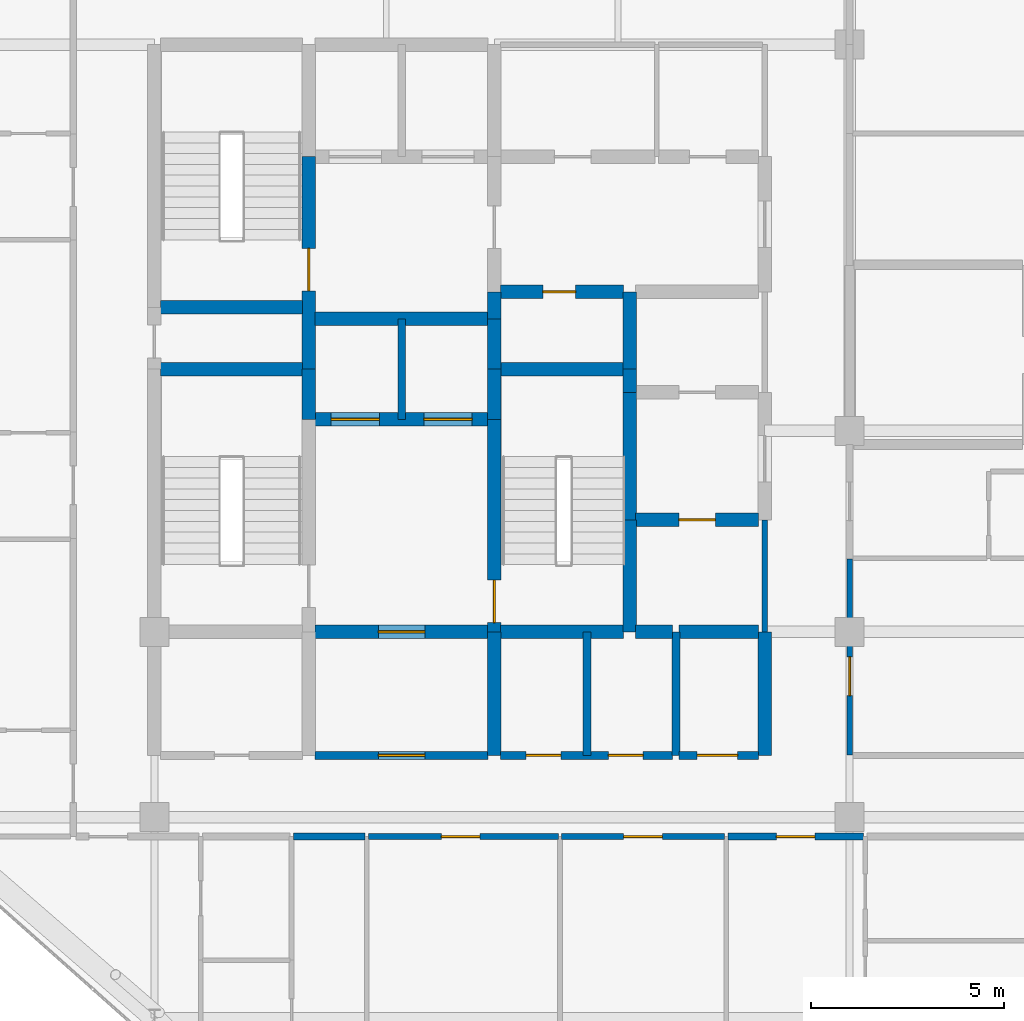
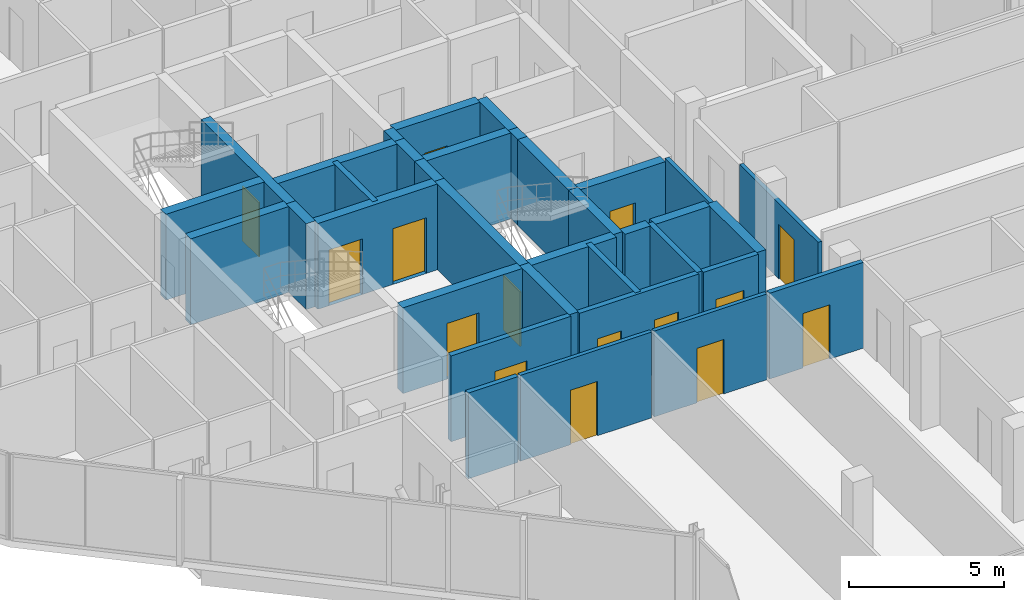
# One storey, part 24 of 29: 35 walls, 15 doors, 15 openings.
"""IFC4 building model written with IfcOpenShell, lengths in metres."""

import ifcopenshell
import ifcopenshell.guid

model = None  # the IFC model being written
_history = None  # IfcOwnerHistory: only IFC2X3 demands one
_inside = {}  # id of a spatial element -> (the spatial element, [elements in it])
_under = {}  # id of a project, library or spatial element -> (it, [spatial elements below it])
_declared = {}  # id of a project -> (the project, [libraries it declares])
_typed = {}  # id of a type object -> (the type object, [elements of that type])
_made_of = {}  # id of a material, layer set ... -> (it, [elements and type objects made of it])


def new_model(schema):
    """Start an empty IFC model of exactly this schema.

    Asked for "IFC4X3", IfcOpenShell would pick the latest addendum, in which some entities
    have other attributes; the version numbers below select the first issue.
    IFC2X3 requires an IfcOwnerHistory on every rooted entity: one is made here for all.
    """
    global model, _history
    if schema == "IFC4X3":
        model = ifcopenshell.file(schema_version=(4, 3, 0, 0))
    else:
        model = ifcopenshell.file(schema=schema)
    _inside.clear()
    _under.clear()
    _declared.clear()
    _typed.clear()
    _made_of.clear()
    _history = None
    if model.schema == "IFC2X3":
        org = make("IfcOrganization", Name="unknown")
        user = make(
            "IfcPersonAndOrganization",
            ThePerson=make("IfcPerson", FamilyName="unknown"),
            TheOrganization=org,
        )
        app = make(
            "IfcApplication",
            ApplicationDeveloper=org,
            Version="unknown",
            ApplicationFullName="unknown",
            ApplicationIdentifier="unknown",
        )
        _history = make(
            "IfcOwnerHistory",
            OwningUser=user,
            OwningApplication=app,
            ChangeAction="ADDED",
            CreationDate=0,
        )
    return model


def make(cls, **values):
    """One entity of the class cls with the attributes given. An attribute that is None is left unset."""
    return model.create_entity(
        cls, **{name: value for name, value in values.items() if value is not None}
    )


def rooted(cls, **values):
    """An entity with a GlobalId (a new one), such as an element, a storey or a relation."""
    return make(cls, GlobalId=ifcopenshell.guid.new(), OwnerHistory=_history, **values)


def si_unit(unit_type, name, prefix=None):
    """IfcSIUnit, for example si_unit("LENGTHUNIT", "METRE", prefix="MILLI")."""
    return make("IfcSIUnit", UnitType=unit_type, Prefix=prefix, Name=name)


def assignment(units):
    """IfcUnitAssignment: the units of a project."""
    return None if units is None else make("IfcUnitAssignment", Units=units)


def point(xyz):
    """IfcCartesianPoint."""
    return None if xyz is None else make("IfcCartesianPoint", Coordinates=xyz)


def direction(xyz):
    """IfcDirection."""
    return None if xyz is None else make("IfcDirection", DirectionRatios=xyz)


def frame(location, z_axis=None, x_axis=None):
    """IfcAxis2Placement3D, a coordinate frame: its origin and axes. An axis left out is left unset."""
    return make(
        "IfcAxis2Placement3D",
        Location=point(location),
        Axis=direction(z_axis),
        RefDirection=direction(x_axis),
    )


def frame_2d(location, x_axis=None):
    """IfcAxis2Placement2D, a coordinate frame in the plane: its origin and x axis."""
    return make(
        "IfcAxis2Placement2D", Location=point(location), RefDirection=direction(x_axis)
    )


def origin():
    """The frame at (0, 0, 0) with its axes left unset."""
    return frame((0.0, 0.0, 0.0))


def place(relative_to, where):
    """IfcLocalPlacement: puts the frame where relative to a parent placement (None: the world)."""
    return make(
        "IfcLocalPlacement", PlacementRelTo=relative_to, RelativePlacement=where
    )


def context(
    kind, dimensions, precision=None, world=None, true_north=None, identifier=None
):
    """IfcGeometricRepresentationContext, for example the 3D "Model" context."""
    return make(
        "IfcGeometricRepresentationContext",
        ContextIdentifier=identifier,
        ContextType=kind,
        CoordinateSpaceDimension=dimensions,
        Precision=precision,
        WorldCoordinateSystem=world,
        TrueNorth=true_north,
    )


def subcontext(parent, identifier, kind, view, scale=None):
    """IfcGeometricRepresentationSubContext, for example "Body" below "Model"."""
    return make(
        "IfcGeometricRepresentationSubContext",
        ContextIdentifier=identifier,
        ContextType=kind,
        ParentContext=parent,
        TargetScale=scale,
        TargetView=view,
    )


def project(units=None, contexts=None):
    """IfcProject with its units and contexts."""
    return rooted(
        "IfcProject",
        Name="project",
        RepresentationContexts=contexts,
        UnitsInContext=assignment(units),
    )


def spatial(cls, under=None, at=None, **own):
    """A site, building, storey or space (cls), placed at a placement, below another one or the project."""
    s = rooted(cls, ObjectPlacement=at, **own)
    if under is not None:
        _under.setdefault(under.id(), (under, []))[1].append(s)
    return s


def profile(cls, at=None, kind="AREA", **sizes):
    """A parametric profile (cls). Its sizes go by their IFC names, for example OverallWidth=200.0."""
    return make(cls, ProfileType=kind, Position=at, **sizes)


def rectangle(**sizes):
    """IfcRectangleProfileDef."""
    return profile("IfcRectangleProfileDef", **sizes)


def extrude(swept, where, along, depth):
    """IfcExtrudedAreaSolid: the profile swept, set in the frame where, extruded along a direction by depth."""
    return make(
        "IfcExtrudedAreaSolid",
        SweptArea=swept,
        Position=where,
        ExtrudedDirection=direction(along),
        Depth=depth,
    )


def shape(context_of_items, identifier, shape_type, items):
    """IfcShapeRepresentation: the items that make up one representation, for example the "Body"."""
    return make(
        "IfcShapeRepresentation",
        ContextOfItems=context_of_items,
        RepresentationIdentifier=identifier,
        RepresentationType=shape_type,
        Items=items,
    )


def material(Name=None, Category=None):
    """IfcMaterial."""
    return make("IfcMaterial", Name=Name, Category=Category)


def layer(
    of_material, thickness, ventilated=None, Name=None, Category=None, Priority=None
):
    """IfcMaterialLayer: one layer of a wall or slab, of a material (None: an air gap)."""
    return make(
        "IfcMaterialLayer",
        Material=of_material,
        LayerThickness=thickness,
        IsVentilated=ventilated,
        Name=Name,
        Category=Category,
        Priority=Priority,
    )


def layer_set(layers, Name=None):
    """IfcMaterialLayerSet."""
    return make("IfcMaterialLayerSet", MaterialLayers=layers, LayerSetName=Name)


def made_of(thing, what):
    """Note that an element or type object is made of a material, layer set ...; save() writes the relation."""
    if what is not None:
        _made_of.setdefault(what.id(), (what, []))[1].append(thing)
    return thing


def type_object(cls, material=None, **own):
    """A type object (cls), such as IfcWallType, which elements share."""
    return made_of(rooted(cls, **own), material)


def element(
    cls,
    number,
    at=None,
    inside=None,
    cuts=None,
    type_object=None,
    material=None,
    context=None,
    identifier="Body",
    shape_type=None,
    held_by="IfcProductDefinitionShape",
    body=None,
    shapes=None,
    **own,
):
    """One element of the class cls, such as IfcWall. Its Tag is "e" and its number.

    at: its placement. inside: the storey or other place that contains it. cuts: it is an
    opening in that element (IfcRelVoidsElement). A single representation is given by context,
    identifier, shape_type and body (its items); several are given by shapes. held_by: the class
    of the entity that holds the representations. save() writes the other relations.
    """
    e = rooted(cls, Tag="e%d" % number, ObjectPlacement=at, **own)
    if body is not None:
        shapes = [shape(context, identifier, shape_type, body)]
    if shapes is not None:
        e.Representation = make(held_by, Representations=shapes)
    if inside is not None:
        _inside.setdefault(inside.id(), (inside, []))[1].append(e)
    if cuts is not None:
        rooted(
            "IfcRelVoidsElement", RelatingBuildingElement=cuts, RelatedOpeningElement=e
        )
    if type_object is not None:
        _typed.setdefault(type_object.id(), (type_object, []))[1].append(e)
    return made_of(e, material)


def fill(opening, filler):
    """IfcRelFillsElement: the door or window that sits in an opening."""
    return rooted(
        "IfcRelFillsElement",
        RelatingOpeningElement=opening,
        RelatedBuildingElement=filler,
    )


def aggregate(whole, parts):
    """IfcRelAggregates: a whole, such as a stair, and the parts it consists of."""
    return rooted("IfcRelAggregates", RelatingObject=whole, RelatedObjects=parts)


def save(model, path):
    """Write the relations noted so far, then the file.

    IfcRelAggregates (storeys below a building ...), IfcRelContainedInSpatialStructure (elements
    in a storey), IfcRelDefinesByType, IfcRelAssociatesMaterial and IfcRelDeclares: one each for
    every whole, place, type object, material and project.
    """
    for whole, parts in _under.values():
        aggregate(whole, parts)
    for where, things in _inside.values():
        rooted(
            "IfcRelContainedInSpatialStructure",
            RelatedElements=things,
            RelatingStructure=where,
        )
    for kind, things in _typed.values():
        rooted("IfcRelDefinesByType", RelatedObjects=things, RelatingType=kind)
    for what, things in _made_of.values():
        rooted("IfcRelAssociatesMaterial", RelatedObjects=things, RelatingMaterial=what)
    for by, libraries in _declared.values():
        rooted("IfcRelDeclares", RelatingContext=by, RelatedDefinitions=libraries)
    model.write(path)


model = new_model("IFC4")

# Units and contexts
model_context = context("Model", 3, precision=1e-05, world=origin(), true_north=direction((0.0, 1.0)))
body_context = subcontext(model_context, "Body", "Model", "MODEL_VIEW")
ifc_project = project(units=[si_unit("LENGTHUNIT", "METRE"), si_unit("AREAUNIT", "SQUARE_METRE"), si_unit("VOLUMEUNIT", "CUBIC_METRE"), si_unit("PLANEANGLEUNIT", "RADIAN"), si_unit("MASSUNIT", "GRAM", prefix="KILO")], contexts=[model_context])

# Site, building, storey
site_placement = place(None, origin())
site = spatial("IfcSite", under=ifc_project, at=site_placement, CompositionType="ELEMENT")
building_placement = place(site_placement, origin())
building = spatial("IfcBuilding", under=site, at=building_placement, Name="Keshet Zoharim Tower", CompositionType="ELEMENT")
storey_placement = place(building_placement, frame((0.0, 0.0, 226.5)))
storey = spatial("IfcBuildingStorey", under=building, at=storey_placement, Name="L56", CompositionType="ELEMENT", Elevation=226.5)

# Wall
ifc_material_1 = material(Name="Gypsum Plasterboard", Category="gypsum")
ifc_layer_1 = layer(ifc_material_1, 0.14990234375)
ifc_layer_set_1 = layer_set([ifc_layer_1], Name="Gypsum Plasterboard")
wall_type_1 = type_object("IfcWallType", Name="WL-CLIN-150", PredefinedType="STANDARD", material=ifc_layer_set_1)
wall_1_placement = place(storey_placement, frame((30.800048828125, 22.699951171875, 0.0), z_axis=(0.0, 0.0, 1.0), x_axis=(0.0, 1.0, 0.0)))
element("IfcWall", 1, at=wall_1_placement, inside=storey, type_object=wall_type_1, Name="L56 Interior Wall 057", PredefinedType="STANDARD", context=body_context, shape_type="SweptSolid", body=[
    extrude(rectangle(XDim=2.900146484375, YDim=0.14990234375, at=frame_2d((1.4501953125, 0.0))), origin(), (0.0, 0.0, 1.0), 3.389892578125),
])

# Wall, opening, door
wall_2_placement = place(storey_placement, frame((33.0, 19.510009765625, 0.0), z_axis=(0.0, 0.0, 1.0), x_axis=(0.0, 1.0, 0.0)))
wall_2 = element("IfcWall", 2, at=wall_2_placement, inside=storey, type_object=wall_type_1, Name="L56 Interior Wall 063", PredefinedType="STANDARD", context=body_context, shape_type="SweptSolid", body=[
    extrude(rectangle(XDim=5.080078125, YDim=0.14990234375, at=frame_2d((2.5400390625, 0.0))), origin(), (0.0, 0.0, 1.0), 2.989990234375),
])
opening_1_placement = place(wall_2_placement, frame((1.5400390625, 0.0, 0.0)))
opening_1 = element("IfcOpeningElement", 3, at=opening_1_placement, cuts=wall_2, Name="Opening D-F310", PredefinedType="OPENING", context=body_context, shape_type="SweptSolid", body=[
    extrude(rectangle(XDim=1.0, YDim=2.14990234375, at=frame_2d((0.5, 1.074951171875))), frame((0.0, 0.0849609375, 0.0), z_axis=(0.0, -1.0, 0.0), x_axis=(1.0, 0.0, 0.0)), (0.0, 0.0, 1.0), 0.169921875),
])
ifc_material_2 = material(Name="Hardwood Timber", Category="wood")
door_type_1 = type_object("IfcDoorType", Name="DR-FD30-100", OperationType="NOTDEFINED", PredefinedType="DOOR", material=ifc_material_2)
door_1_placement = place(opening_1_placement, origin())
door_1 = element("IfcDoor", 4, at=door_1_placement, inside=storey, type_object=door_type_1, Name="L56 South East Residents Services Suite Door 2", OperationType="SINGLE_SWING_RIGHT", OverallHeight=2.14990234375, OverallWidth=1.0, PredefinedType="DOOR", context=body_context, shape_type="SweptSolid", body=[
    extrude(rectangle(XDim=1.0, YDim=2.14990234375, at=frame_2d((0.5, 1.074951171875))), frame((0.0, 0.02490234375, 0.0), z_axis=(0.0, -1.0, 0.0), x_axis=(1.0, 0.0, 0.0)), (0.0, 0.0, 1.0), 0.050048828125),
])
fill(opening_1, door_1)

wall_3_placement = place(storey_placement, frame((20.544921875, 17.39990234375, 0.0), z_axis=(0.0, 0.0, 1.0), x_axis=(1.0, 0.0, 0.0)))
wall_3 = element("IfcWall", 5, at=wall_3_placement, inside=storey, type_object=wall_type_1, Name="L56 Interior Wall 113", PredefinedType="STANDARD", context=body_context, shape_type="SweptSolid", body=[
    extrude(rectangle(XDim=4.91015625, YDim=0.14990234375, at=frame_2d((2.455078125, 0.0))), origin(), (0.0, 0.0, 1.0), 3.389892578125),
])
opening_2_placement = place(wall_3_placement, frame((1.884033203125, 0.0, 0.0)))
opening_2 = element("IfcOpeningElement", 6, at=opening_2_placement, cuts=wall_3, Name="Opening D-F310", PredefinedType="OPENING", context=body_context, shape_type="SweptSolid", body=[
    extrude(rectangle(XDim=1.0, YDim=2.14990234375, at=frame_2d((0.5, 1.074951171875))), frame((0.0, 0.0849609375, 0.0), z_axis=(0.0, -1.0, 0.0), x_axis=(1.0, 0.0, 0.0)), (0.0, 0.0, 1.0), 0.169921875),
])
door_2_placement = place(opening_2_placement, origin())
door_2 = element("IfcDoor", 7, at=door_2_placement, inside=storey, type_object=door_type_1, Name="L56 Residents Fitness Studio Door", OperationType="SINGLE_SWING_LEFT", OverallHeight=2.14990234375, OverallWidth=1.0, PredefinedType="DOOR", context=body_context, shape_type="SweptSolid", body=[
    extrude(rectangle(XDim=1.0, YDim=2.14990234375, at=frame_2d((0.5, 1.074951171875))), frame((0.0, 0.02490234375, 0.0), z_axis=(0.0, -1.0, 0.0), x_axis=(1.0, 0.0, 0.0)), (0.0, 0.0, 1.0), 0.050048828125),
])
fill(opening_2, door_2)

wall_4_placement = place(storey_placement, frame((25.544921875, 17.39990234375, 0.0), z_axis=(0.0, 0.0, 1.0), x_axis=(1.0, 0.0, 0.0)))
wall_4 = element("IfcWall", 8, at=wall_4_placement, inside=storey, type_object=wall_type_1, Name="L56 Interior Wall 114", PredefinedType="STANDARD", context=body_context, shape_type="SweptSolid", body=[
    extrude(rectangle(XDim=4.2099609375, YDim=0.14990234375, at=frame_2d((2.10498046875, 0.0))), origin(), (0.0, 0.0, 1.0), 3.389892578125),
])
opening_3_placement = place(wall_4_placement, frame((1.60498046875, 0.0, 0.0)))
opening_3 = element("IfcOpeningElement", 9, at=opening_3_placement, cuts=wall_4, Name="Opening D-F310", PredefinedType="OPENING", context=body_context, shape_type="SweptSolid", body=[
    extrude(rectangle(XDim=1.0, YDim=2.14990234375, at=frame_2d((0.5, 1.074951171875))), frame((0.0, 0.0849609375, 0.0), z_axis=(0.0, -1.0, 0.0), x_axis=(1.0, 0.0, 0.0)), (0.0, 0.0, 1.0), 0.169921875),
])
door_3_placement = place(opening_3_placement, origin())
door_3 = element("IfcDoor", 10, at=door_3_placement, inside=storey, type_object=door_type_1, Name="L56 Residents Reading Office Door", OperationType="SINGLE_SWING_RIGHT", OverallHeight=2.14990234375, OverallWidth=1.0, PredefinedType="DOOR", context=body_context, shape_type="SweptSolid", body=[
    extrude(rectangle(XDim=1.0, YDim=2.14990234375, at=frame_2d((0.5, 1.074951171875))), frame((0.0, 0.02490234375, 0.0), z_axis=(0.0, -1.0, 0.0), x_axis=(1.0, 0.0, 0.0)), (0.0, 0.0, 1.0), 0.050048828125),
])
fill(opening_3, door_3)

# Wall
ifc_material_3 = material(Name="Concrete C60/75", Category="concrete")
ifc_layer_2 = layer(ifc_material_3, 0.35009765625)
ifc_layer_set_2 = layer_set([ifc_layer_2], Name="Concrete C60/75")
wall_type_2 = type_object("IfcWallType", Name="WL-CORE-350", PredefinedType="SHEAR", material=ifc_layer_set_2)
wall_5_placement = place(storey_placement, frame((19.0, 28.199951171875, 0.0), z_axis=(0.0, 0.0, 1.0), x_axis=(0.0, 1.0, 0.0)))
element("IfcWall", 11, at=wall_5_placement, inside=storey, type_object=wall_type_2, Name="L56 Core Shear Wall 025", PredefinedType="SHEAR", context=body_context, shape_type="SweptSolid", body=[
    extrude(rectangle(XDim=1.300048828125, YDim=0.35009765625, at=frame_2d((0.64990234375, 0.0))), origin(), (0.0, 0.0, 1.0), 3.389892578125),
])

# Wall, opening, door
wall_6_placement = place(storey_placement, frame((19.0, 29.5, 0.0), z_axis=(0.0, 0.0, 1.0), x_axis=(0.0, 1.0, 0.0)))
wall_6 = element("IfcWall", 12, at=wall_6_placement, inside=storey, type_object=wall_type_2, Name="L56 Core Shear Wall 026", PredefinedType="SHEAR", context=body_context, shape_type="SweptSolid", body=[
    extrude(rectangle(XDim=5.5, YDim=0.35009765625, at=frame_2d((2.75, 0.0))), origin(), (0.0, 0.0, 1.0), 3.389892578125),
])
opening_4_placement = place(wall_6_placement, frame((2.02490234375, 0.0, 0.0)))
opening_4 = element("IfcOpeningElement", 13, at=opening_4_placement, cuts=wall_6, Name="Opening D-F611", PredefinedType="OPENING", context=body_context, shape_type="SweptSolid", body=[
    extrude(rectangle(XDim=1.10009765625, YDim=2.14990234375, at=frame_2d((0.550048828125, 1.074951171875))), frame((0.0, 0.18505859375, 0.0), z_axis=(0.0, -1.0, 0.0), x_axis=(1.0, 0.0, 0.0)), (0.0, 0.0, 1.0), 0.3701171875),
])
door_type_2 = type_object("IfcDoorType", Name="DR-FD60-110", OperationType="NOTDEFINED", PredefinedType="DOOR", material=ifc_material_2)
door_4_placement = place(opening_4_placement, origin())
door_4 = element("IfcDoor", 14, at=door_4_placement, inside=storey, type_object=door_type_2, Name="L56 Exit Stair ST-02 Fire Door", OperationType="SINGLE_SWING_RIGHT", OverallHeight=2.14990234375, OverallWidth=1.10009765625, PredefinedType="DOOR", context=body_context, shape_type="SweptSolid", body=[
    extrude(rectangle(XDim=1.10009765625, YDim=2.14990234375, at=frame_2d((0.550048828125, 1.074951171875))), frame((0.0, 0.02490234375, 0.0), z_axis=(0.0, -1.0, 0.0), x_axis=(1.0, 0.0, 0.0)), (0.0, 0.0, 1.0), 0.050048828125),
])
fill(opening_4, door_4)

# Wall
wall_7_placement = place(storey_placement, frame((23.800048828125, 19.5, 0.0), z_axis=(0.0, 0.0, 1.0), x_axis=(0.0, 1.0, 0.0)))
element("IfcWall", 15, at=wall_7_placement, inside=storey, type_object=wall_type_2, Name="L56 Core Shear Wall 035", PredefinedType="SHEAR", context=body_context, shape_type="SweptSolid", body=[
    extrude(rectangle(XDim=3.199951171875, YDim=0.35009765625, at=frame_2d((1.60009765625, 0.0))), origin(), (0.0, 0.0, 1.0), 3.389892578125),
])

# Wall, opening, door
wall_8_placement = place(storey_placement, frame((23.800048828125, 22.699951171875, 0.0), z_axis=(0.0, 0.0, 1.0), x_axis=(0.0, 1.0, 0.0)))
wall_8 = element("IfcWall", 16, at=wall_8_placement, inside=storey, type_object=wall_type_2, Name="L56 Core Shear Wall 036", PredefinedType="SHEAR", context=body_context, shape_type="SweptSolid", body=[
    extrude(rectangle(XDim=5.5, YDim=0.35009765625, at=frame_2d((2.75, 0.0))), origin(), (0.0, 0.0, 1.0), 3.389892578125),
])
opening_5_placement = place(wall_8_placement, frame((0.235107421875, 0.0, 0.0)))
opening_5 = element("IfcOpeningElement", 17, at=opening_5_placement, cuts=wall_8, Name="Opening D-F611", PredefinedType="OPENING", context=body_context, shape_type="SweptSolid", body=[
    extrude(rectangle(XDim=1.10009765625, YDim=2.14990234375, at=frame_2d((0.550048828125, 1.074951171875))), frame((0.0, 0.18505859375, 0.0), z_axis=(0.0, -1.0, 0.0), x_axis=(1.0, 0.0, 0.0)), (0.0, 0.0, 1.0), 0.3701171875),
])
door_5_placement = place(opening_5_placement, frame((1.10009765625, 0.0, 0.0), z_axis=(0.0, 0.0, 1.0), x_axis=(-1.0, 0.0, 0.0)))
door_5 = element("IfcDoor", 18, at=door_5_placement, inside=storey, type_object=door_type_2, Name="L56 Exit Stair ST-03 Fire Door", OperationType="SINGLE_SWING_RIGHT", OverallHeight=2.14990234375, OverallWidth=1.10009765625, PredefinedType="DOOR", context=body_context, shape_type="SweptSolid", body=[
    extrude(rectangle(XDim=1.10009765625, YDim=2.14990234375, at=frame_2d((0.550048828125, 1.074951171875))), frame((0.0, 0.02490234375, 0.0), z_axis=(0.0, -1.0, 0.0), x_axis=(1.0, 0.0, 0.0)), (0.0, 0.0, 1.0), 0.050048828125),
])
fill(opening_5, door_5)

# Walls
for number, where, z_axis, x_axis, name in (
    (19, (23.800048828125, 28.199951171875, 0.0), (0.0, 0.0, 1.0), (0.0, 1.0, 0.0), "L56 Core Shear Wall 037"),
    (20, (23.800048828125, 29.5, 0.0), (0.0, 0.0, 1.0), (0.0, 1.0, 0.0), "L56 Core Shear Wall 038"),
):
    element("IfcWall", number, at=place(storey_placement, frame(where, z_axis=z_axis, x_axis=x_axis)), inside=storey, type_object=wall_type_2, Name=name, PredefinedType="SHEAR", context=body_context, shape_type="SweptSolid", body=[
        extrude(rectangle(XDim=1.300048828125, YDim=0.35009765625, at=frame_2d((0.64990234375, 0.0))), origin(), (0.0, 0.0, 1.0), 3.389892578125),
    ])
wall_9_placement = place(storey_placement, frame((23.800048828125, 30.800048828125, 0.0), z_axis=(0.0, 0.0, 1.0), x_axis=(0.0, 1.0, 0.0)))
element("IfcWall", 21, at=wall_9_placement, inside=storey, type_object=wall_type_2, Name="L56 Core Shear Wall 039", PredefinedType="SHEAR", context=body_context, shape_type="SweptSolid", body=[
    extrude(rectangle(XDim=0.699951171875, YDim=0.35009765625, at=frame_2d((0.35009765625, 0.0))), origin(), (0.0, 0.0, 1.0), 3.389892578125),
])
wall_10_placement = place(storey_placement, frame((27.300048828125, 22.699951171875, 0.0), z_axis=(0.0, 0.0, 1.0), x_axis=(0.0, 1.0, 0.0)))
element("IfcWall", 22, at=wall_10_placement, inside=storey, type_object=wall_type_2, Name="L56 Core Shear Wall 045", PredefinedType="SHEAR", context=body_context, shape_type="SweptSolid", body=[
    extrude(rectangle(XDim=2.900146484375, YDim=0.35009765625, at=frame_2d((1.4501953125, 0.0))), origin(), (0.0, 0.0, 1.0), 3.389892578125),
])
wall_11_placement = place(storey_placement, frame((27.300048828125, 25.60009765625, 0.0), z_axis=(0.0, 0.0, 1.0), x_axis=(0.0, 1.0, 0.0)))
element("IfcWall", 23, at=wall_11_placement, inside=storey, type_object=wall_type_2, Name="L56 Core Shear Wall 046", PredefinedType="SHEAR", context=body_context, shape_type="SweptSolid", body=[
    extrude(rectangle(XDim=3.2998046875, YDim=0.35009765625, at=frame_2d((1.64990234375, 0.0))), origin(), (0.0, 0.0, 1.0), 3.389892578125),
])
wall_12_placement = place(storey_placement, frame((27.300048828125, 28.89990234375, 0.0), z_axis=(0.0, 0.0, 1.0), x_axis=(0.0, 1.0, 0.0)))
element("IfcWall", 24, at=wall_12_placement, inside=storey, type_object=wall_type_2, Name="L56 Core Shear Wall 047", PredefinedType="SHEAR", context=body_context, shape_type="SweptSolid", body=[
    extrude(rectangle(XDim=0.60009765625, YDim=0.35009765625, at=frame_2d((0.300048828125, 0.0))), origin(), (0.0, 0.0, 1.0), 3.389892578125),
])
wall_13_placement = place(storey_placement, frame((27.300048828125, 29.5, 0.0), z_axis=(0.0, 0.0, 1.0), x_axis=(0.0, 1.0, 0.0)))
element("IfcWall", 25, at=wall_13_placement, inside=storey, type_object=wall_type_2, Name="L56 Core Shear Wall 048", PredefinedType="SHEAR", context=body_context, shape_type="SweptSolid", body=[
    extrude(rectangle(XDim=2.0, YDim=0.35009765625, at=frame_2d((1.0, 0.0))), origin(), (0.0, 0.0, 1.0), 3.389892578125),
])
wall_14_placement = place(storey_placement, frame((30.800048828125, 19.5, 0.0), z_axis=(0.0, 0.0, 1.0), x_axis=(0.0, 1.0, 0.0)))
element("IfcWall", 26, at=wall_14_placement, inside=storey, type_object=wall_type_2, Name="L56 Core Shear Wall 056", PredefinedType="SHEAR", context=body_context, shape_type="SweptSolid", body=[
    extrude(rectangle(XDim=3.199951171875, YDim=0.35009765625, at=frame_2d((1.60009765625, 0.0))), origin(), (0.0, 0.0, 1.0), 3.389892578125),
])

# Wall, opening, door
wall_15_placement = place(storey_placement, frame((19.159912109375, 22.699951171875, 0.0), z_axis=(0.0, 0.0, 1.0), x_axis=(1.0, 0.0, 0.0)))
wall_15 = element("IfcWall", 27, at=wall_15_placement, inside=storey, type_object=wall_type_2, Name="L56 Core Shear Wall 131", PredefinedType="SHEAR", context=body_context, shape_type="SweptSolid", body=[
    extrude(rectangle(XDim=4.47998046875, YDim=0.35009765625, at=frame_2d((2.239990234375, 0.0))), origin(), (0.0, 0.0, 1.0), 3.389892578125),
])
opening_6_placement = place(wall_15_placement, frame((1.639892578125, 0.0, 0.0)))
opening_6 = element("IfcOpeningElement", 28, at=opening_6_placement, cuts=wall_15, Name="Opening D-F612", PredefinedType="OPENING", context=body_context, shape_type="SweptSolid", body=[
    extrude(rectangle(XDim=1.199951171875, YDim=2.199951171875, at=frame_2d((0.60009765625, 1.10009765625))), frame((0.0, 0.18505859375, 0.0), z_axis=(0.0, -1.0, 0.0), x_axis=(1.0, 0.0, 0.0)), (0.0, 0.0, 1.0), 0.3701171875),
])
door_type_3 = type_object("IfcDoorType", Name="DR-FD60-120", OperationType="NOTDEFINED", PredefinedType="DOOR", material=ifc_material_2)
door_6_placement = place(opening_6_placement, origin())
door_6 = element("IfcDoor", 29, at=door_6_placement, inside=storey, type_object=door_type_3, Name="L56 South Core Lobby Fire Door", OperationType="SINGLE_SWING_LEFT", OverallHeight=2.199951171875, OverallWidth=1.199951171875, PredefinedType="DOOR", context=body_context, shape_type="SweptSolid", body=[
    extrude(rectangle(XDim=1.199951171875, YDim=2.199951171875, at=frame_2d((0.60009765625, 1.10009765625))), frame((0.0, 0.02490234375, 0.0), z_axis=(0.0, -1.0, 0.0), x_axis=(1.0, 0.0, 0.0)), (0.0, 0.0, 1.0), 0.050048828125),
])
fill(opening_6, door_6)

# Walls
wall_16_placement = place(storey_placement, frame((23.9599609375, 22.699951171875, 0.0), z_axis=(0.0, 0.0, 1.0), x_axis=(1.0, 0.0, 0.0)))
element("IfcWall", 30, at=wall_16_placement, inside=storey, type_object=wall_type_2, Name="L56 Core Shear Wall 132", PredefinedType="SHEAR", context=body_context, shape_type="SweptSolid", body=[
    extrude(rectangle(XDim=3.179931640625, YDim=0.35009765625, at=frame_2d((1.58984375, 0.0))), origin(), (0.0, 0.0, 1.0), 3.389892578125),
])
wall_17_placement = place(storey_placement, frame((27.4599609375, 22.699951171875, 0.0), z_axis=(0.0, 0.0, 1.0), x_axis=(1.0, 0.0, 0.0)))
element("IfcWall", 31, at=wall_17_placement, inside=storey, type_object=wall_type_2, Name="L56 Core Shear Wall 133", PredefinedType="SHEAR", context=body_context, shape_type="SweptSolid", body=[
    extrude(rectangle(XDim=0.955078125, YDim=0.35009765625, at=frame_2d((0.4775390625, 0.0))), origin(), (0.0, 0.0, 1.0), 3.389892578125),
])
wall_18_placement = place(storey_placement, frame((28.5849609375, 22.699951171875, 0.0), z_axis=(0.0, 0.0, 1.0), x_axis=(1.0, 0.0, 0.0)))
element("IfcWall", 32, at=wall_18_placement, inside=storey, type_object=wall_type_2, Name="L56 Core Shear Wall 134", PredefinedType="SHEAR", context=body_context, shape_type="SweptSolid", body=[
    extrude(rectangle(XDim=2.054931640625, YDim=0.35009765625, at=frame_2d((1.02734375, 0.0))), origin(), (0.0, 0.0, 1.0), 3.389892578125),
])

# Wall, opening, door
wall_19_placement = place(storey_placement, frame((27.4599609375, 25.60009765625, 0.0), z_axis=(0.0, 0.0, 1.0), x_axis=(1.0, 0.0, 0.0)))
wall_19 = element("IfcWall", 33, at=wall_19_placement, inside=storey, type_object=wall_type_2, Name="L56 Core Shear Wall 140", PredefinedType="SHEAR", context=body_context, shape_type="SweptSolid", body=[
    extrude(rectangle(XDim=3.179931640625, YDim=0.35009765625, at=frame_2d((1.58984375, 0.0))), origin(), (0.0, 0.0, 1.0), 3.389892578125),
])
opening_7_placement = place(wall_19_placement, frame((1.114990234375, 0.0, 0.0)))
opening_7 = element("IfcOpeningElement", 34, at=opening_7_placement, cuts=wall_19, Name="Opening D-F695", PredefinedType="OPENING", context=body_context, shape_type="SweptSolid", body=[
    extrude(rectangle(XDim=0.949951171875, YDim=2.14990234375, at=frame_2d((0.47509765625, 1.074951171875))), frame((0.0, 0.18505859375, 0.0), z_axis=(0.0, -1.0, 0.0), x_axis=(1.0, 0.0, 0.0)), (0.0, 0.0, 1.0), 0.3701171875),
])
door_type_4 = type_object("IfcDoorType", Name="DR-FD60-095", OperationType="NOTDEFINED", PredefinedType="DOOR", material=ifc_material_2)
door_7_placement = place(opening_7_placement, origin())
door_7 = element("IfcDoor", 35, at=door_7_placement, inside=storey, type_object=door_type_4, Name="L56 Study Alcove Door", OperationType="SINGLE_SWING_RIGHT", OverallHeight=2.14990234375, OverallWidth=0.949951171875, PredefinedType="DOOR", context=body_context, shape_type="SweptSolid", body=[
    extrude(rectangle(XDim=0.949951171875, YDim=2.14990234375, at=frame_2d((0.47509765625, 1.074951171875))), frame((0.0, 0.02490234375, 0.0), z_axis=(0.0, -1.0, 0.0), x_axis=(1.0, 0.0, 0.0)), (0.0, 0.0, 1.0), 0.050048828125),
])
fill(opening_7, door_7)

# Wall, openings, doors
wall_20_placement = place(storey_placement, frame((19.159912109375, 28.199951171875, 0.0), z_axis=(0.0, 0.0, 1.0), x_axis=(1.0, 0.0, 0.0)))
wall_20 = element("IfcWall", 36, at=wall_20_placement, inside=storey, type_object=wall_type_2, Name="L56 Core Shear Wall 147", PredefinedType="SHEAR", context=body_context, shape_type="SweptSolid", body=[
    extrude(rectangle(XDim=4.47998046875, YDim=0.35009765625, at=frame_2d((2.239990234375, 0.0))), origin(), (0.0, 0.0, 1.0), 3.389892578125),
])
opening_8_placement = place(wall_20_placement, frame((0.4150390625, 0.0, 0.0)))
opening_8 = element("IfcOpeningElement", 37, at=opening_8_placement, cuts=wall_20, Name="Opening LD-01", PredefinedType="OPENING", context=body_context, shape_type="SweptSolid", body=[
    extrude(rectangle(XDim=1.25, YDim=2.199951171875, at=frame_2d((0.625, 1.10009765625))), frame((0.0, 0.18505859375, 0.0), z_axis=(0.0, -1.0, 0.0), x_axis=(1.0, 0.0, 0.0)), (0.0, 0.0, 1.0), 0.3701171875),
])
opening_9_placement = place(wall_20_placement, frame((2.81494140625, 0.0, 0.0)))
opening_9 = element("IfcOpeningElement", 38, at=opening_9_placement, cuts=wall_20, Name="Opening LD-01", PredefinedType="OPENING", context=body_context, shape_type="SweptSolid", body=[
    extrude(rectangle(XDim=1.25, YDim=2.199951171875, at=frame_2d((0.625, 1.10009765625))), frame((0.0, 0.18505859375, 0.0), z_axis=(0.0, -1.0, 0.0), x_axis=(1.0, 0.0, 0.0)), (0.0, 0.0, 1.0), 0.3701171875),
])
ifc_material_4 = material(Name="Steel S355", Category="steel")
door_type_5 = type_object("IfcDoorType", Name="DR-LD01-125", OperationType="DOUBLE_DOOR_SLIDING", PredefinedType="DOOR", material=ifc_material_4)
door_8_placement = place(opening_8_placement, origin())
door_8 = element("IfcDoor", 39, at=door_8_placement, inside=storey, type_object=door_type_5, Name="L56 Passenger Lift Landing Door LF-09", OperationType="DOUBLE_DOOR_SLIDING", OverallHeight=2.199951171875, OverallWidth=1.25, PredefinedType="DOOR", context=body_context, shape_type="SweptSolid", body=[
    extrude(rectangle(XDim=1.25, YDim=2.199951171875, at=frame_2d((0.625, 1.10009765625))), frame((0.0, 0.02490234375, 0.0), z_axis=(0.0, -1.0, 0.0), x_axis=(1.0, 0.0, 0.0)), (0.0, 0.0, 1.0), 0.050048828125),
])
fill(opening_8, door_8)
door_9_placement = place(opening_9_placement, origin())
door_9 = element("IfcDoor", 40, at=door_9_placement, inside=storey, type_object=door_type_5, Name="L56 Passenger Lift Landing Door LF-10", OperationType="DOUBLE_DOOR_SLIDING", OverallHeight=2.199951171875, OverallWidth=1.25, PredefinedType="DOOR", context=body_context, shape_type="SweptSolid", body=[
    extrude(rectangle(XDim=1.25, YDim=2.199951171875, at=frame_2d((0.625, 1.10009765625))), frame((0.0, 0.02490234375, 0.0), z_axis=(0.0, -1.0, 0.0), x_axis=(1.0, 0.0, 0.0)), (0.0, 0.0, 1.0), 0.050048828125),
])
fill(opening_9, door_9)

# Walls
wall_21_placement = place(storey_placement, frame((15.159912109375, 29.5, 0.0), z_axis=(0.0, 0.0, 1.0), x_axis=(1.0, 0.0, 0.0)))
element("IfcWall", 41, at=wall_21_placement, inside=storey, type_object=wall_type_2, Name="L56 Core Shear Wall 149", PredefinedType="SHEAR", context=body_context, shape_type="SweptSolid", body=[
    extrude(rectangle(XDim=3.68017578125, YDim=0.35009765625, at=frame_2d((1.840087890625, 0.0))), origin(), (0.0, 0.0, 1.0), 3.389892578125),
])
wall_22_placement = place(storey_placement, frame((23.9599609375, 29.5, 0.0), z_axis=(0.0, 0.0, 1.0), x_axis=(1.0, 0.0, 0.0)))
element("IfcWall", 42, at=wall_22_placement, inside=storey, type_object=wall_type_2, Name="L56 Core Shear Wall 150", PredefinedType="SHEAR", context=body_context, shape_type="SweptSolid", body=[
    extrude(rectangle(XDim=3.179931640625, YDim=0.35009765625, at=frame_2d((1.58984375, 0.0))), origin(), (0.0, 0.0, 1.0), 3.389892578125),
])
wall_23_placement = place(storey_placement, frame((19.159912109375, 30.800048828125, 0.0), z_axis=(0.0, 0.0, 1.0), x_axis=(1.0, 0.0, 0.0)))
element("IfcWall", 43, at=wall_23_placement, inside=storey, type_object=wall_type_2, Name="L56 Core Shear Wall 151", PredefinedType="SHEAR", context=body_context, shape_type="SweptSolid", body=[
    extrude(rectangle(XDim=4.47998046875, YDim=0.35009765625, at=frame_2d((2.239990234375, 0.0))), origin(), (0.0, 0.0, 1.0), 3.389892578125),
])
wall_24_placement = place(storey_placement, frame((15.159912109375, 31.10009765625, 0.0), z_axis=(0.0, 0.0, 1.0), x_axis=(1.0, 0.0, 0.0)))
element("IfcWall", 44, at=wall_24_placement, inside=storey, type_object=wall_type_2, Name="L56 Core Shear Wall 152", PredefinedType="SHEAR", context=body_context, shape_type="SweptSolid", body=[
    extrude(rectangle(XDim=3.68017578125, YDim=0.35009765625, at=frame_2d((1.840087890625, 0.0))), origin(), (0.0, 0.0, 1.0), 3.389892578125),
])

# Wall, opening, door
wall_25_placement = place(storey_placement, frame((23.9599609375, 31.5, 0.0), z_axis=(0.0, 0.0, 1.0), x_axis=(1.0, 0.0, 0.0)))
wall_25 = element("IfcWall", 45, at=wall_25_placement, inside=storey, type_object=wall_type_2, Name="L56 Core Shear Wall 153", PredefinedType="SHEAR", context=body_context, shape_type="SweptSolid", body=[
    extrude(rectangle(XDim=3.179931640625, YDim=0.35009765625, at=frame_2d((1.58984375, 0.0))), origin(), (0.0, 0.0, 1.0), 3.389892578125),
])
opening_10_placement = place(wall_25_placement, frame((1.093994140625, 0.0, 0.0)))
opening_10 = element("IfcOpeningElement", 46, at=opening_10_placement, cuts=wall_25, Name="Opening D-RS85", PredefinedType="OPENING", context=body_context, shape_type="SweptSolid", body=[
    extrude(rectangle(XDim=0.85009765625, YDim=2.10009765625, at=frame_2d((0.425048828125, 1.050048828125))), frame((0.0, 0.18505859375, 0.0), z_axis=(0.0, -1.0, 0.0), x_axis=(1.0, 0.0, 0.0)), (0.0, 0.0, 1.0), 0.3701171875),
])
door_type_6 = type_object("IfcDoorType", Name="DR-RIS-085", OperationType="NOTDEFINED", PredefinedType="DOOR", material=ifc_material_2)
door_10_placement = place(opening_10_placement, origin())
door_10 = element("IfcDoor", 47, at=door_10_placement, inside=storey, type_object=door_type_6, Name="L56 Telecom Riser Access Cupboard Door", OperationType="SINGLE_SWING_LEFT", OverallHeight=2.10009765625, OverallWidth=0.85009765625, PredefinedType="DOOR", context=body_context, shape_type="SweptSolid", body=[
    extrude(rectangle(XDim=0.85009765625, YDim=2.10009765625, at=frame_2d((0.425048828125, 1.050048828125))), frame((0.0, 0.02490234375, 0.0), z_axis=(0.0, -1.0, 0.0), x_axis=(1.0, 0.0, 0.0)), (0.0, 0.0, 1.0), 0.050048828125),
])
fill(opening_10, door_10)

# Wall
ifc_layer_3 = layer(ifc_material_1, 0.179931640625)
ifc_layer_set_3 = layer_set([ifc_layer_3], Name="Gypsum Plasterboard")
wall_type_3 = type_object("IfcWallType", Name="WL-CORR-180", PredefinedType="STANDARD", material=ifc_layer_set_3)
wall_26_placement = place(storey_placement, frame((18.594970703125, 17.39990234375, 0.0), z_axis=(0.0, 0.0, 1.0), x_axis=(1.0, 0.0, 0.0)))
element("IfcWall", 48, at=wall_26_placement, inside=storey, type_object=wall_type_3, Name="L56 Interior Wall 112", PredefinedType="STANDARD", context=body_context, shape_type="SweptSolid", body=[
    extrude(rectangle(XDim=1.860107421875, YDim=0.179931640625, at=frame_2d((0.93017578125, 0.0))), origin(), (0.0, 0.0, 1.0), 3.389892578125),
])

# Wall, opening, door
wall_27_placement = place(storey_placement, frame((29.844970703125, 17.39990234375, 0.0), z_axis=(0.0, 0.0, 1.0), x_axis=(1.0, 0.0, 0.0)))
wall_27 = element("IfcWall", 49, at=wall_27_placement, inside=storey, type_object=wall_type_3, Name="L56 Interior Wall 115", PredefinedType="STANDARD", context=body_context, shape_type="SweptSolid", body=[
    extrude(rectangle(XDim=3.510009765625, YDim=0.179931640625, at=frame_2d((1.7548828125, 0.0))), origin(), (0.0, 0.0, 1.0), 3.389892578125),
])
opening_11_placement = place(wall_27_placement, frame((1.2548828125, 0.0, 0.0)))
opening_11 = element("IfcOpeningElement", 50, at=opening_11_placement, cuts=wall_27, Name="Opening D-F310", PredefinedType="OPENING", context=body_context, shape_type="SweptSolid", body=[
    extrude(rectangle(XDim=1.0, YDim=2.14990234375, at=frame_2d((0.5, 1.074951171875))), frame((0.0, 0.10009765625, 0.0), z_axis=(0.0, -1.0, 0.0), x_axis=(1.0, 0.0, 0.0)), (0.0, 0.0, 1.0), 0.199951171875),
])
door_11_placement = place(opening_11_placement, origin())
door_11 = element("IfcDoor", 51, at=door_11_placement, inside=storey, type_object=door_type_1, Name="Apartment 5602 Entrance Door", OperationType="SINGLE_SWING_LEFT", OverallHeight=2.14990234375, OverallWidth=1.0, PredefinedType="DOOR", context=body_context, shape_type="SweptSolid", body=[
    extrude(rectangle(XDim=1.0, YDim=2.14990234375, at=frame_2d((0.5, 1.074951171875))), frame((0.0, 0.02490234375, 0.0), z_axis=(0.0, -1.0, 0.0), x_axis=(1.0, 0.0, 0.0)), (0.0, 0.0, 1.0), 0.050048828125),
])
fill(opening_11, door_11)

# Walls
ifc_material_5 = material(Name="Concrete C50/60", Category="concrete")
ifc_layer_4 = layer(ifc_material_5, 0.199951171875)
ifc_layer_set_4 = layer_set([ifc_layer_4], Name="Concrete C50/60")
wall_type_4 = type_object("IfcWallType", Name="WL-FIRE-200", PredefinedType="STANDARD", material=ifc_layer_set_4)
wall_28_placement = place(storey_placement, frame((21.39990234375, 28.199951171875, 0.0), z_axis=(0.0, 0.0, 1.0), x_axis=(0.0, 1.0, 0.0)))
element("IfcWall", 52, at=wall_28_placement, inside=storey, type_object=wall_type_4, Name="L56 Interior Wall 031", PredefinedType="STANDARD", context=body_context, shape_type="SweptSolid", body=[
    extrude(rectangle(XDim=2.60009765625, YDim=0.199951171875, at=frame_2d((1.300048828125, 0.0))), origin(), (0.0, 0.0, 1.0), 3.389892578125),
])
for number, where, z_axis, x_axis, name in (
    (53, (26.199951171875, 19.5, 0.0), (0.0, 0.0, 1.0), (0.0, 1.0, 0.0), "L56 Interior Wall 044"),
    (54, (28.5, 19.5, 0.0), (0.0, 0.0, 1.0), (0.0, 1.0, 0.0), "L56 Interior Wall 053"),
):
    element("IfcWall", number, at=place(storey_placement, frame(where, z_axis=z_axis, x_axis=x_axis)), inside=storey, type_object=wall_type_4, Name=name, PredefinedType="STANDARD", context=body_context, shape_type="SweptSolid", body=[
        extrude(rectangle(XDim=3.199951171875, YDim=0.199951171875, at=frame_2d((1.60009765625, 0.0))), origin(), (0.0, 0.0, 1.0), 3.389892578125),
    ])

# Wall, opening, door
wall_29_placement = place(storey_placement, frame((19.159912109375, 19.5, 0.0), z_axis=(0.0, 0.0, 1.0), x_axis=(1.0, 0.0, 0.0)))
wall_29 = element("IfcWall", 55, at=wall_29_placement, inside=storey, type_object=wall_type_4, Name="L56 Interior Wall 123", PredefinedType="STANDARD", context=body_context, shape_type="SweptSolid", body=[
    extrude(rectangle(XDim=4.47998046875, YDim=0.199951171875, at=frame_2d((2.239990234375, 0.0))), origin(), (0.0, 0.0, 1.0), 3.389892578125),
])
opening_12_placement = place(wall_29_placement, frame((1.639892578125, 0.0, 0.0)))
opening_12 = element("IfcOpeningElement", 56, at=opening_12_placement, cuts=wall_29, Name="Opening D-F612", PredefinedType="OPENING", context=body_context, shape_type="SweptSolid", body=[
    extrude(rectangle(XDim=1.199951171875, YDim=2.199951171875, at=frame_2d((0.60009765625, 1.10009765625))), frame((0.0, 0.10986328125, 0.0), z_axis=(0.0, -1.0, 0.0), x_axis=(1.0, 0.0, 0.0)), (0.0, 0.0, 1.0), 0.219970703125),
])
door_12_placement = place(opening_12_placement, origin())
door_12 = element("IfcDoor", 57, at=door_12_placement, inside=storey, type_object=door_type_3, Name="L56 South Vestibule Corridor Door", OperationType="SINGLE_SWING_LEFT", OverallHeight=2.199951171875, OverallWidth=1.199951171875, PredefinedType="DOOR", context=body_context, shape_type="SweptSolid", body=[
    extrude(rectangle(XDim=1.199951171875, YDim=2.199951171875, at=frame_2d((0.60009765625, 1.10009765625))), frame((0.0, 0.02490234375, 0.0), z_axis=(0.0, -1.0, 0.0), x_axis=(1.0, 0.0, 0.0)), (0.0, 0.0, 1.0), 0.050048828125),
])
fill(opening_12, door_12)

# Wall, openings, doors
wall_30_placement = place(storey_placement, frame((23.9599609375, 19.5, 0.0), z_axis=(0.0, 0.0, 1.0), x_axis=(1.0, 0.0, 0.0)))
wall_30 = element("IfcWall", 58, at=wall_30_placement, inside=storey, type_object=wall_type_4, Name="L56 Interior Wall 124", PredefinedType="STANDARD", context=body_context, shape_type="SweptSolid", body=[
    extrude(rectangle(XDim=4.455078125, YDim=0.199951171875, at=frame_2d((2.2275390625, 0.0))), origin(), (0.0, 0.0, 1.0), 3.389892578125),
])
opening_13_placement = place(wall_30_placement, frame((0.6650390625, 0.0, 0.0)))
opening_13 = element("IfcOpeningElement", 59, at=opening_13_placement, cuts=wall_30, Name="Opening D-F690", PredefinedType="OPENING", context=body_context, shape_type="SweptSolid", body=[
    extrude(rectangle(XDim=0.89990234375, YDim=2.14990234375, at=frame_2d((0.449951171875, 1.074951171875))), frame((0.0, 0.10986328125, 0.0), z_axis=(0.0, -1.0, 0.0), x_axis=(1.0, 0.0, 0.0)), (0.0, 0.0, 1.0), 0.219970703125),
])
opening_14_placement = place(wall_30_placement, frame((2.791015625, 0.0, 0.0)))
opening_14 = element("IfcOpeningElement", 60, at=opening_14_placement, cuts=wall_30, Name="Opening D-F690", PredefinedType="OPENING", context=body_context, shape_type="SweptSolid", body=[
    extrude(rectangle(XDim=0.89990234375, YDim=2.14990234375, at=frame_2d((0.449951171875, 1.074951171875))), frame((0.0, 0.10986328125, 0.0), z_axis=(0.0, -1.0, 0.0), x_axis=(1.0, 0.0, 0.0)), (0.0, 0.0, 1.0), 0.219970703125),
])
door_type_7 = type_object("IfcDoorType", Name="DR-FD60-090", OperationType="NOTDEFINED", PredefinedType="DOOR", material=ifc_material_2)
door_13_placement = place(opening_13_placement, origin())
door_13 = element("IfcDoor", 61, at=door_13_placement, inside=storey, type_object=door_type_7, Name="L56 Switchgear Room Door", OperationType="SINGLE_SWING_RIGHT", OverallHeight=2.14990234375, OverallWidth=0.89990234375, PredefinedType="DOOR", context=body_context, shape_type="SweptSolid", body=[
    extrude(rectangle(XDim=0.89990234375, YDim=2.14990234375, at=frame_2d((0.449951171875, 1.074951171875))), frame((0.0, 0.02490234375, 0.0), z_axis=(0.0, -1.0, 0.0), x_axis=(1.0, 0.0, 0.0)), (0.0, 0.0, 1.0), 0.050048828125),
])
fill(opening_13, door_13)
door_14_placement = place(opening_14_placement, origin())
door_14 = element("IfcDoor", 62, at=door_14_placement, inside=storey, type_object=door_type_7, Name="L56 Telecom Room Door", OperationType="SINGLE_SWING_LEFT", OverallHeight=2.14990234375, OverallWidth=0.89990234375, PredefinedType="DOOR", context=body_context, shape_type="SweptSolid", body=[
    extrude(rectangle(XDim=0.89990234375, YDim=2.14990234375, at=frame_2d((0.449951171875, 1.074951171875))), frame((0.0, 0.02490234375, 0.0), z_axis=(0.0, -1.0, 0.0), x_axis=(1.0, 0.0, 0.0)), (0.0, 0.0, 1.0), 0.050048828125),
])
fill(opening_14, door_14)

# Wall, opening, door
wall_31_placement = place(storey_placement, frame((28.5849609375, 19.5, 0.0), z_axis=(0.0, 0.0, 1.0), x_axis=(1.0, 0.0, 0.0)))
wall_31 = element("IfcWall", 63, at=wall_31_placement, inside=storey, type_object=wall_type_4, Name="L56 Interior Wall 125", PredefinedType="STANDARD", context=body_context, shape_type="SweptSolid", body=[
    extrude(rectangle(XDim=2.054931640625, YDim=0.199951171875, at=frame_2d((1.02734375, 0.0))), origin(), (0.0, 0.0, 1.0), 3.389892578125),
])
opening_15_placement = place(wall_31_placement, frame((0.466064453125, 0.0, 0.0)))
opening_15 = element("IfcOpeningElement", 64, at=opening_15_placement, cuts=wall_31, Name="Opening D-AC10", PredefinedType="OPENING", context=body_context, shape_type="SweptSolid", body=[
    extrude(rectangle(XDim=1.050048828125, YDim=2.14990234375, at=frame_2d((0.52490234375, 1.074951171875))), frame((0.0, 0.10986328125, 0.0), z_axis=(0.0, -1.0, 0.0), x_axis=(1.0, 0.0, 0.0)), (0.0, 0.0, 1.0), 0.219970703125),
])
door_type_8 = type_object("IfcDoorType", Name="DR-ACC-105", OperationType="NOTDEFINED", PredefinedType="DOOR", material=ifc_material_2)
door_15_placement = place(opening_15_placement, origin())
door_15 = element("IfcDoor", 65, at=door_15_placement, inside=storey, type_object=door_type_8, Name="L56 Accessible WC Door", OperationType="SINGLE_SWING_RIGHT", OverallHeight=2.14990234375, OverallWidth=1.050048828125, PredefinedType="DOOR", context=body_context, shape_type="SweptSolid", body=[
    extrude(rectangle(XDim=1.050048828125, YDim=2.14990234375, at=frame_2d((0.52490234375, 1.074951171875))), frame((0.0, 0.02490234375, 0.0), z_axis=(0.0, -1.0, 0.0), x_axis=(1.0, 0.0, 0.0)), (0.0, 0.0, 1.0), 0.050048828125),
])
fill(opening_15, door_15)

save(model, "model.ifc")
